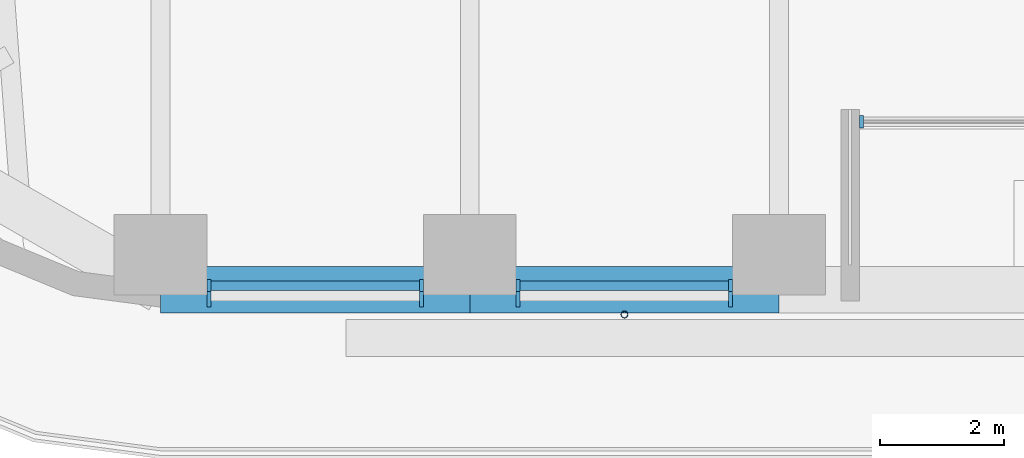
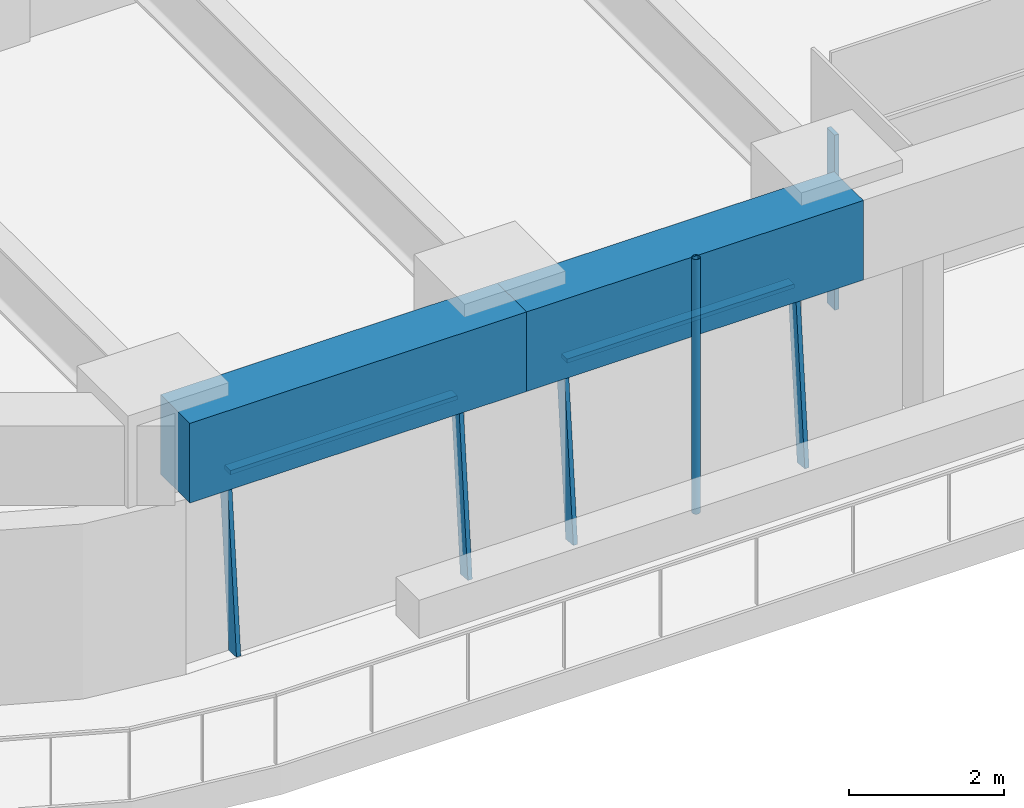
# One storey, part 2 of 24: 8 members, 2 beams, 3 elements without a shape of their own.
"""IFC4 building model written with IfcOpenShell, lengths in metres."""

from ifc_helpers import new_model, si_unit, direction, frame, origin, origin_2d, place, context, subcontext, project, spatial, rectangle, hollow_circle, extrude, material, material_profile, profile_set, type_object, element, aggregate, save


model = new_model("IFC4")

# Units and contexts
model_context = context("Model", 3, precision=1e-05, world=origin(), true_north=direction((0.0, 1.0)))
body_context = subcontext(model_context, "Body", "Model", "MODEL_VIEW")
ifc_project = project(units=[si_unit("LENGTHUNIT", "METRE"), si_unit("AREAUNIT", "SQUARE_METRE"), si_unit("VOLUMEUNIT", "CUBIC_METRE"), si_unit("PLANEANGLEUNIT", "RADIAN"), si_unit("MASSUNIT", "GRAM", prefix="KILO")], contexts=[model_context])

# Site, building, storey
site_placement = place(None, origin())
site = spatial("IfcSite", under=ifc_project, at=site_placement, CompositionType="ELEMENT")
building_placement = place(site_placement, origin())
building = spatial("IfcBuilding", under=site, at=building_placement, Name="Tarfa Lantern Tower", CompositionType="ELEMENT")
storey_placement = place(building_placement, frame((0.0, 0.0, 195.10009765625)))
storey = spatial("IfcBuildingStorey", under=building, at=storey_placement, Name="L44", CompositionType="ELEMENT", Elevation=195.10009765625)

# Curtain wall, members
ifc_material_1 = material(Name="Aluminium framed curtain wall", Category="aluminium")
curtain_wall_type_1 = type_object("IfcCurtainWallType", Name="CW2 CANTED GLAZING MID ZONE 2750", PredefinedType="USERDEFINED", material=ifc_material_1)
curtain_wall_1_placement = place(storey_placement, origin())
curtain_wall_1 = element("IfcCurtainWall", 1, at=curtain_wall_1_placement, inside=storey, type_object=curtain_wall_type_1, Name="CW2 S L44", ObjectType="CURTAIN WALL", PredefinedType="USERDEFINED")
ifc_material_2 = material(Name="Aluminium mullion", Category="aluminium")
ifc_material_profile_1 = material_profile(ifc_material_2, rectangle(XDim=0.06494140625, YDim=0.199951171875, at=origin_2d()), Name="AL MULLION 65x200")
ifc_profile_set_1 = profile_set([ifc_material_profile_1], Name="Aluminium mullion")
member_type_1 = type_object("IfcMemberType", Name="CWM1 MULLION 65x200", PredefinedType="MULLION", material=ifc_profile_set_1)
member_1_placement = place(storey_placement, frame((-14.228515625, -31.39990234375, 0.0), z_axis=(0.0, 0.090535746043, 0.995893206468), x_axis=(-1.0, 0.0, 0.0)))
member_1 = element("IfcMember", 2, at=member_1_placement, type_object=member_type_1, Name="CW2 mullion 1", PredefinedType="MULLION", context=body_context, shape_type="SweptSolid", body=[
    extrude(rectangle(XDim=0.06494140625, YDim=0.199951171875, at=origin_2d()), origin(), (0.0, 0.0, 1.0), 2.76123046875),
])
member_2_placement = place(storey_placement, frame((-10.789794921875, -31.39990234375, 0.0), z_axis=(0.0, 0.090535746043, 0.995893206468), x_axis=(-1.0, 0.0, 0.0)))
member_2 = element("IfcMember", 3, at=member_2_placement, type_object=member_type_1, Name="CW2 mullion 2", PredefinedType="MULLION", context=body_context, shape_type="SweptSolid", body=[
    extrude(rectangle(XDim=0.06494140625, YDim=0.199951171875, at=origin_2d()), origin(), (0.0, 0.0, 1.0), 2.76123046875),
])

curtain_wall_2_placement = place(storey_placement, origin())
curtain_wall_2 = element("IfcCurtainWall", 4, at=curtain_wall_2_placement, inside=storey, type_object=curtain_wall_type_1, Name="CW2 S L44", ObjectType="CURTAIN WALL", PredefinedType="USERDEFINED")
member_3_placement = place(storey_placement, frame((-9.224853515625, -31.39990234375, 0.0), z_axis=(0.0, 0.090535746043, 0.995893206468), x_axis=(-1.0, 0.0, 0.0)))
member_3 = element("IfcMember", 5, at=member_3_placement, type_object=member_type_1, Name="CW2 mullion 1", PredefinedType="MULLION", context=body_context, shape_type="SweptSolid", body=[
    extrude(rectangle(XDim=0.06494140625, YDim=0.199951171875, at=origin_2d()), origin(), (0.0, 0.0, 1.0), 2.76123046875),
])
member_4_placement = place(storey_placement, frame((-5.7861328125, -31.39990234375, 0.0), z_axis=(0.0, 0.090535746043, 0.995893206468), x_axis=(-1.0, 0.0, 0.0)))
member_4 = element("IfcMember", 6, at=member_4_placement, type_object=member_type_1, Name="CW2 mullion 2", PredefinedType="MULLION", context=body_context, shape_type="SweptSolid", body=[
    extrude(rectangle(XDim=0.06494140625, YDim=0.199951171875, at=origin_2d()), origin(), (0.0, 0.0, 1.0), 2.76123046875),
])

# Curtain wall, member
curtain_wall_type_2 = type_object("IfcCurtainWallType", Name="CW10 LOGGIA GLAZING 2750", PredefinedType="USERDEFINED", material=ifc_material_1)
curtain_wall_3_placement = place(storey_placement, origin())
curtain_wall_3 = element("IfcCurtainWall", 7, at=curtain_wall_3_placement, inside=storey, type_object=curtain_wall_type_2, Name="CW10 SL L44", ObjectType="CURTAIN WALL", PredefinedType="USERDEFINED")
member_5_placement = place(storey_placement, frame((-3.671142578125, -28.5, 0.0), z_axis=(0.0, 0.0, 1.0), x_axis=(1.0, 0.0, 0.0)))
member_5 = element("IfcMember", 8, at=member_5_placement, type_object=member_type_1, Name="CW10 mullion 1", PredefinedType="MULLION", context=body_context, shape_type="SweptSolid", body=[
    extrude(rectangle(XDim=0.06494140625, YDim=0.199951171875, at=origin_2d()), origin(), (0.0, 0.0, 1.0), 2.75),
])
aggregate(curtain_wall_3, [member_5])

# Member
ifc_material_3 = material(Name="Aluminium transom", Category="aluminium")
ifc_material_profile_2 = material_profile(ifc_material_3, rectangle(XDim=0.14990234375, YDim=0.06494140625, at=origin_2d()), Name="AL TRANSOM 150x65")
ifc_profile_set_2 = profile_set([ifc_material_profile_2], Name="Aluminium transom")
member_type_2 = type_object("IfcMemberType", Name="CWT1 TRANSOM 150x65", PredefinedType="USERDEFINED", material=ifc_profile_set_2)
member_6_placement = place(storey_placement, frame((-14.196044921875, -31.153076171875, 2.71728515625), z_axis=(1.0, 0.0, 0.0), x_axis=(0.0, 1.0, 0.0)))
member_6 = element("IfcMember", 9, at=member_6_placement, type_object=member_type_2, Name="CW2 transom 1.2", ObjectType="TRANSOM", PredefinedType="USERDEFINED", context=body_context, shape_type="SweptSolid", body=[
    extrude(rectangle(XDim=0.14990234375, YDim=0.06494140625, at=origin_2d()), origin(), (0.0, 0.0, 1.0), 3.37353515625),
])

aggregate(curtain_wall_1, [member_1, member_2, member_6])

member_7_placement = place(storey_placement, frame((-9.1923828125, -31.153076171875, 2.71728515625), z_axis=(1.0, 0.0, 0.0), x_axis=(0.0, 1.0, 0.0)))
member_7 = element("IfcMember", 10, at=member_7_placement, type_object=member_type_2, Name="CW2 transom 1.2", ObjectType="TRANSOM", PredefinedType="USERDEFINED", context=body_context, shape_type="SweptSolid", body=[
    extrude(rectangle(XDim=0.14990234375, YDim=0.06494140625, at=origin_2d()), origin(), (0.0, 0.0, 1.0), 3.373779296875),
])

aggregate(curtain_wall_2, [member_3, member_4, member_7])

# Beams
ifc_material_4 = material(Name="Concrete C80/95", Category="concrete")
ifc_material_profile_3 = material_profile(ifc_material_4, rectangle(XDim=0.75, YDim=1.25, at=origin_2d()), Name="RC 750x1250")
ifc_profile_set_3 = profile_set([ifc_material_profile_3], Name="Concrete C80/95")
beam_type = type_object("IfcBeamType", Name="EB2 RC 750x1250", PredefinedType="SPANDREL", material=ifc_profile_set_3)
for number, where, z_axis, x_axis, name in (
    (11, (-15.010986328125, -31.219970703125, 3.375), (1.0, 0.0, 0.0), (0.0, 1.0, 0.0), "Edge beam S0"),
    (12, (-10.00732421875, -31.219970703125, 3.375), (1.0, 0.0, 0.0), (0.0, 1.0, 0.0), "Edge beam S1"),
):
    element("IfcBeam", number, at=place(storey_placement, frame(where, z_axis=z_axis, x_axis=x_axis)), inside=storey, type_object=beam_type, Name=name, PredefinedType="SPANDREL", context=body_context, shape_type="SweptSolid", body=[
        extrude(rectangle(XDim=0.75, YDim=1.25, at=origin_2d()), origin(), (0.0, 0.0, 1.0), 5.003662109375),
    ])

# Member
ifc_material_5 = material(Name="Steel S355", Category="steel")
ifc_material_profile_4 = material_profile(ifc_material_5, hollow_circle(Radius=0.05712890625, WallThickness=0.00634765625, at=origin_2d()), Name="CHS114.3x6.3")
ifc_profile_set_4 = profile_set([ifc_material_profile_4], Name="Steel S355")
member_type_3 = type_object("IfcMemberType", Name="TR1 GREEN WALL TRELLIS CHS114.3x6.3", PredefinedType="USERDEFINED", material=ifc_profile_set_4)
member_8_placement = place(storey_placement, frame((-7.505615234375, -31.6201171875, 0.0), z_axis=(0.0, 0.0, 1.0), x_axis=(1.0, 0.0, 0.0)))
element("IfcMember", 13, at=member_8_placement, inside=storey, type_object=member_type_3, Name="Trellis post S 1", ObjectType="TRELLIS", PredefinedType="USERDEFINED", context=body_context, shape_type="SweptSolid", body=[
    extrude(hollow_circle(Radius=0.05712890625, WallThickness=0.00634765625, at=origin_2d()), origin(), (0.0, 0.0, 1.0), 4.0),
])

save(model, "model.ifc")
